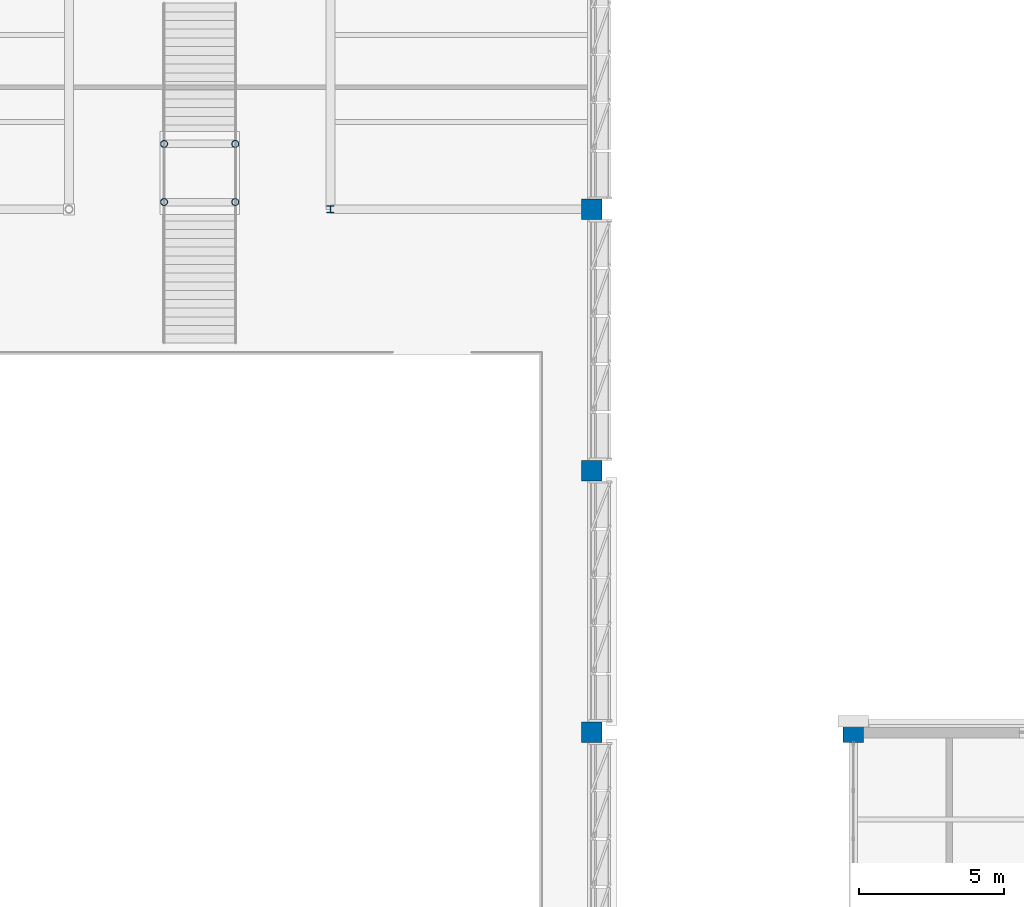
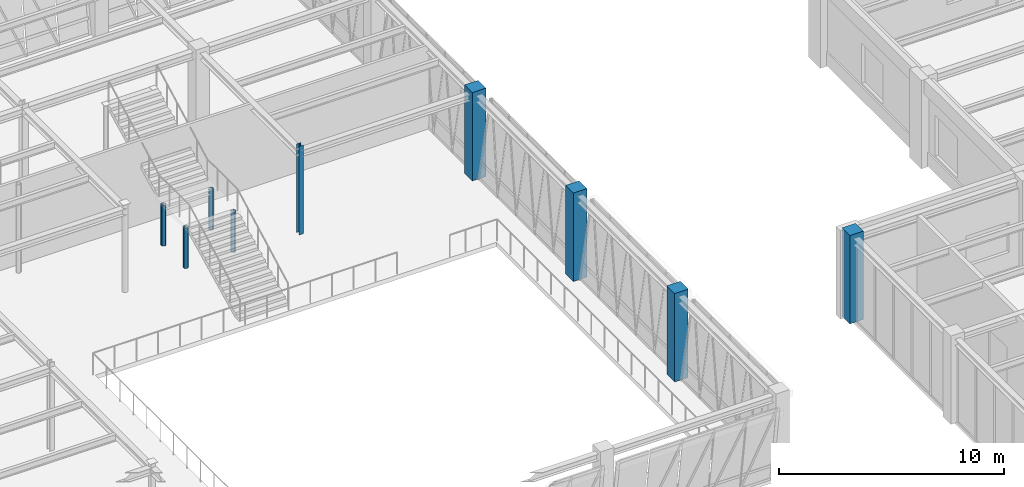
# One storey, part 11 of 92: 9 columns.
"""IFC4 building model written with IfcOpenShell, lengths in metres."""

from ifc_helpers import new_model, si_unit, direction, frame, origin, origin_2d, place, context, subcontext, project, spatial, rectangle, hollow_circle, i_section, extrude, material, material_profile, profile_set, type_object, element, save


model = new_model("IFC4")

# Units and contexts
model_context = context("Model", 3, precision=1e-05, world=origin(), true_north=direction((0.0, 1.0)))
body_context = subcontext(model_context, "Body", "Model", "MODEL_VIEW")
ifc_project = project(units=[si_unit("LENGTHUNIT", "METRE"), si_unit("AREAUNIT", "SQUARE_METRE"), si_unit("VOLUMEUNIT", "CUBIC_METRE"), si_unit("PLANEANGLEUNIT", "RADIAN"), si_unit("MASSUNIT", "GRAM", prefix="KILO")], contexts=[model_context])

# Site, building, storey
site_placement = place(None, origin())
site = spatial("IfcSite", under=ifc_project, at=site_placement, CompositionType="ELEMENT")
building_placement = place(site_placement, origin())
building = spatial("IfcBuilding", under=site, at=building_placement, Name="Lykobir Media Centre", CompositionType="ELEMENT")
storey_placement = place(building_placement, frame((0.0, 0.0, 5.39990234375)))
storey = spatial("IfcBuildingStorey", under=building, at=storey_placement, Name="L01", CompositionType="ELEMENT", Elevation=5.39990234375)

# Columns
ifc_material_1 = material(Name="Concrete C40/50", Category="concrete")
ifc_material_profile_1 = material_profile(ifc_material_1, rectangle(XDim=0.699951171875, YDim=0.699951171875, at=origin_2d()), Name="RC 700x700")
ifc_profile_set_1 = profile_set([ifc_material_profile_1], Name="Concrete C40/50")
column_type_1 = type_object("IfcColumnType", Name="RC-C700-E", PredefinedType="COLUMN", material=ifc_profile_set_1)
for number, where, z_axis, x_axis, name in (
    (1, (81.0, 72.0, 0.0), (0.0, 0.0, 1.0), (1.0, 0.0, 0.0), "Column COL-L01-0810-0720"),
    (2, (81.0, 81.0, 0.0), (0.0, 0.0, 1.0), (1.0, 0.0, 0.0), "Column COL-L01-0810-0810"),
    (3, (81.0, 90.0, 0.0), (0.0, 0.0, 1.0), (1.0, 0.0, 0.0), "Column COL-L01-0810-0900"),
    (4, (90.0, 72.0, 0.0), (0.0, 0.0, 1.0), (1.0, 0.0, 0.0), "Column COL-L01-0900-0720"),
):
    element("IfcColumn", number, at=place(storey_placement, frame(where, z_axis=z_axis, x_axis=x_axis)), inside=storey, type_object=column_type_1, Name=name, PredefinedType="COLUMN", context=body_context, shape_type="SweptSolid", body=[
        extrude(rectangle(XDim=0.699951171875, YDim=0.699951171875, at=origin_2d()), origin(), (0.0, 0.0, 1.0), 4.800048828125),
    ])
ifc_material_2 = material(Name="Steel S355", Category="steel")
ifc_material_profile_2 = material_profile(ifc_material_2, hollow_circle(Radius=0.122314453125, WallThickness=0.012451171875, at=origin_2d()), Name="CHS 244.5x12.5")
ifc_profile_set_2 = profile_set([ifc_material_profile_2], Name="Steel S355")
column_type_2 = type_object("IfcColumnType", Name="SC-CHS244", PredefinedType="COLUMN", material=ifc_profile_set_2)
for number, where, z_axis, x_axis, name in (
    (5, (66.27490234375, 90.25, 0.0), (0.0, 0.0, 1.0), (1.0, 0.0, 0.0), "Valley stair column L01 2-663-902"),
    (6, (66.27490234375, 92.25, 0.0), (0.0, 0.0, 1.0), (1.0, 0.0, 0.0), "Valley stair column L01 2-663-922"),
    (7, (68.72509765625, 90.25, 0.0), (0.0, 0.0, 1.0), (1.0, 0.0, 0.0), "Valley stair column L01 2-687-902"),
    (8, (68.72509765625, 92.25, 0.0), (0.0, 0.0, 1.0), (1.0, 0.0, 0.0), "Valley stair column L01 2-687-922"),
):
    element("IfcColumn", number, at=place(storey_placement, frame(where, z_axis=z_axis, x_axis=x_axis)), inside=storey, type_object=column_type_2, Name=name, PredefinedType="COLUMN", context=body_context, shape_type="SweptSolid", body=[
        extrude(hollow_circle(Radius=0.122314453125, WallThickness=0.012451171875, at=origin_2d()), origin(), (0.0, 0.0, 1.0), 2.195068359375),
    ])
ifc_material_profile_3 = material_profile(ifc_material_2, i_section(OverallWidth=0.239990234375, OverallDepth=0.239990234375, WebThickness=0.010009765625, FlangeThickness=0.01708984375, at=origin_2d()), Name="HEB 240")
ifc_profile_set_3 = profile_set([ifc_material_profile_3], Name="Steel S355")
column_type_3 = type_object("IfcColumnType", Name="SC-HEB240", PredefinedType="COLUMN", material=ifc_profile_set_3)
column_placement = place(storey_placement, frame((72.0, 90.0, 0.0), z_axis=(0.0, 0.0, 1.0), x_axis=(1.0, 0.0, 0.0)))
element("IfcColumn", 9, at=column_placement, inside=storey, type_object=column_type_3, Name="Column COL-L01-0720-0900", PredefinedType="COLUMN", context=body_context, shape_type="SweptSolid", body=[
    extrude(i_section(OverallWidth=0.239990234375, OverallDepth=0.239990234375, WebThickness=0.010009765625, FlangeThickness=0.01708984375, at=origin_2d()), origin(), (0.0, 0.0, 1.0), 4.800048828125),
])

save(model, "model.ifc")
